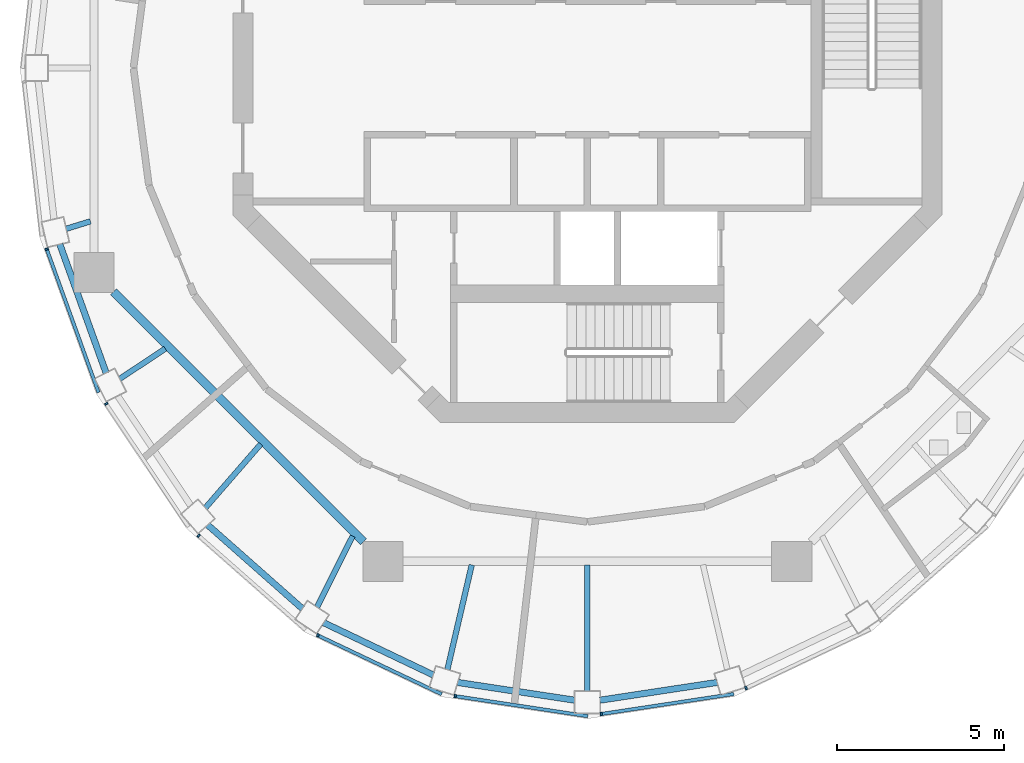
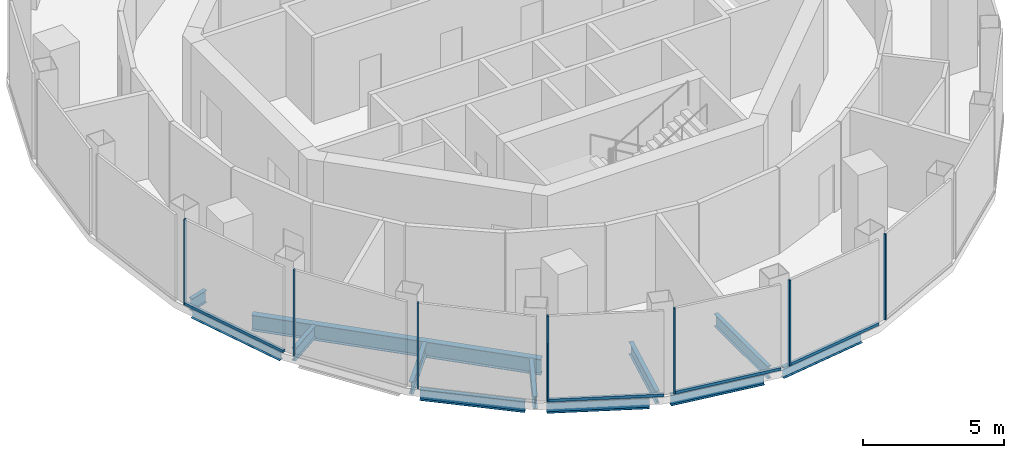
# One storey, part 2 of 12: 12 beams, 11 members, 7 elements without a shape of their own.
"""IFC4 building model written with IfcOpenShell, lengths in metres."""

from ifc_helpers import new_model, si_unit, direction, frame, origin, origin_2d, place, context, subcontext, project, spatial, rectangle, i_section, extrude, material, layer, layer_set, material_profile, profile_set, type_object, element, aggregate, save


model = new_model("IFC4")

# Units and contexts
model_context = context("Model", 3, precision=1e-05, world=origin(), true_north=direction((0.0, 1.0)))
body_context = subcontext(model_context, "Body", "Model", "MODEL_VIEW")
ifc_project = project(units=[si_unit("LENGTHUNIT", "METRE"), si_unit("AREAUNIT", "SQUARE_METRE"), si_unit("VOLUMEUNIT", "CUBIC_METRE"), si_unit("PLANEANGLEUNIT", "RADIAN"), si_unit("MASSUNIT", "GRAM", prefix="KILO")], contexts=[model_context])

# Site, building, storey
site_placement = place(None, origin())
site = spatial("IfcSite", under=ifc_project, at=site_placement, CompositionType="ELEMENT")
building_placement = place(site_placement, origin())
building = spatial("IfcBuilding", under=site, at=building_placement, Name="Nagisa Residences", CompositionType="ELEMENT")
storey_placement = place(building_placement, frame((0.0, 0.0, 328.89990234375)))
storey = spatial("IfcBuildingStorey", under=building, at=storey_placement, Name="L81", CompositionType="ELEMENT", Elevation=328.89990234375)

# Curtain wall, member
ifc_material_1 = material(Name="Aluminium curtain wall system", Category="aluminium")
ifc_layer = layer(ifc_material_1, 0.159912109375)
ifc_layer_set = layer_set([ifc_layer], Name="CW5 CURTAIN WALL")
curtain_wall_type = type_object("IfcCurtainWallType", Name="CW5 CURTAIN WALL", PredefinedType="NOTDEFINED", material=ifc_layer_set)
curtain_wall_1_placement = place(storey_placement, origin())
curtain_wall_1 = element("IfcCurtainWall", 1, at=curtain_wall_1_placement, inside=storey, type_object=curtain_wall_type, Name="cw:CW5:L81:13", PredefinedType="NOTDEFINED")
ifc_material_2 = material(Name="Aluminium", Category="aluminium")
ifc_material_profile_1 = material_profile(ifc_material_2, rectangle(XDim=0.10009765625, YDim=0.06005859375, at=origin_2d()), Name="CW5 MULLION 100x60")
ifc_profile_set_1 = profile_set([ifc_material_profile_1], Name="Aluminium")
member_type_1 = type_object("IfcMemberType", Name="CW5 MULLION 100x60", PredefinedType="MULLION", material=ifc_profile_set_1)
member_1_placement = place(storey_placement, frame((-16.199462890625, -5.42431640625, 0.0), z_axis=(0.0, 0.0, 1.0), x_axis=(0.940554456033, 0.339642923136, 0.0)))
member_1 = element("IfcMember", 2, at=member_1_placement, type_object=member_type_1, Name="CW5 mullion", PredefinedType="MULLION", context=body_context, shape_type="SweptSolid", body=[
    extrude(rectangle(XDim=0.10009765625, YDim=0.06005859375, at=origin_2d()), origin(), (0.0, 0.0, 1.0), 3.7001953125),
])

curtain_wall_2_placement = place(storey_placement, origin())
curtain_wall_2 = element("IfcCurtainWall", 3, at=curtain_wall_2_placement, inside=storey, type_object=curtain_wall_type, Name="cw:CW5:L81:14", PredefinedType="NOTDEFINED")
member_2_placement = place(storey_placement, frame((-14.416748046875, -10.06298828125, 0.0), z_axis=(0.0, 0.0, 1.0), x_axis=(0.831172662415, 0.556014393027, 0.0)))
member_2 = element("IfcMember", 4, at=member_2_placement, type_object=member_type_1, Name="CW5 mullion", PredefinedType="MULLION", context=body_context, shape_type="SweptSolid", body=[
    extrude(rectangle(XDim=0.10009765625, YDim=0.06005859375, at=origin_2d()), origin(), (0.0, 0.0, 1.0), 3.7001953125),
])
aggregate(curtain_wall_2, [member_2])

curtain_wall_3_placement = place(storey_placement, origin())
curtain_wall_3 = element("IfcCurtainWall", 5, at=curtain_wall_3_placement, inside=storey, type_object=curtain_wall_type, Name="cw:CW5:L81:15", PredefinedType="NOTDEFINED")
member_3_placement = place(storey_placement, frame((-11.645263671875, -14.0126953125, 0.0), z_axis=(0.0, 0.0, 1.0), x_axis=(0.660699467703, 0.750650526795, 0.0)))
member_3 = element("IfcMember", 6, at=member_3_placement, type_object=member_type_1, Name="CW5 mullion", PredefinedType="MULLION", context=body_context, shape_type="SweptSolid", body=[
    extrude(rectangle(XDim=0.10009765625, YDim=0.06005859375, at=origin_2d()), origin(), (0.0, 0.0, 1.0), 3.7001953125),
])
aggregate(curtain_wall_3, [member_3])

curtain_wall_4_placement = place(storey_placement, origin())
curtain_wall_4 = element("IfcCurtainWall", 7, at=curtain_wall_4_placement, inside=storey, type_object=curtain_wall_type, Name="cw:CW5:L81:16", PredefinedType="NOTDEFINED")
member_4_placement = place(storey_placement, frame((-8.077392578125, -16.999755859375, 0.0), z_axis=(0.0, 0.0, 1.0), x_axis=(0.429150642757, 0.903232929992, 0.0)))
member_4 = element("IfcMember", 8, at=member_4_placement, type_object=member_type_1, Name="CW5 mullion", PredefinedType="MULLION", context=body_context, shape_type="SweptSolid", body=[
    extrude(rectangle(XDim=0.10009765625, YDim=0.06005859375, at=origin_2d()), origin(), (0.0, 0.0, 1.0), 3.7001953125),
])

curtain_wall_5_placement = place(storey_placement, origin())
curtain_wall_5 = element("IfcCurtainWall", 9, at=curtain_wall_5_placement, inside=storey, type_object=curtain_wall_type, Name="cw:CW5:L81:17", PredefinedType="NOTDEFINED")
member_5_placement = place(storey_placement, frame((-3.962890625, -18.820556640625, 0.0), z_axis=(0.0, 0.0, 1.0), x_axis=(0.149320135997, 0.988788904158, 0.0)))
member_5 = element("IfcMember", 10, at=member_5_placement, type_object=member_type_1, Name="CW5 mullion", PredefinedType="MULLION", context=body_context, shape_type="SweptSolid", body=[
    extrude(rectangle(XDim=0.10009765625, YDim=0.06005859375, at=origin_2d()), origin(), (0.0, 0.0, 1.0), 3.7001953125),
])

curtain_wall_6_placement = place(storey_placement, origin())
curtain_wall_6 = element("IfcCurtainWall", 11, at=curtain_wall_6_placement, inside=storey, type_object=curtain_wall_type, Name="cw:CW5:L81:18", PredefinedType="NOTDEFINED")
member_6_placement = place(storey_placement, frame((0.413330078125, -19.356689453125, 0.0), z_axis=(0.0, 0.0, 1.0), x_axis=(-0.149320135997, 0.988788904158, 0.0)))
member_6 = element("IfcMember", 12, at=member_6_placement, type_object=member_type_1, Name="CW5 mullion", PredefinedType="MULLION", context=body_context, shape_type="SweptSolid", body=[
    extrude(rectangle(XDim=0.10009765625, YDim=0.06005859375, at=origin_2d()), origin(), (0.0, 0.0, 1.0), 3.7001953125),
])

curtain_wall_7_placement = place(storey_placement, origin())
curtain_wall_7 = element("IfcCurtainWall", 13, at=curtain_wall_7_placement, inside=storey, type_object=curtain_wall_type, Name="cw:CW5:L81:19", PredefinedType="NOTDEFINED")
member_7_placement = place(storey_placement, frame((4.75390625, -18.578857421875, 0.0), z_axis=(0.0, 0.0, 1.0), x_axis=(-0.429150642757, 0.903232929992, 0.0)))
member_7 = element("IfcMember", 14, at=member_7_placement, type_object=member_type_1, Name="CW5 mullion", PredefinedType="MULLION", context=body_context, shape_type="SweptSolid", body=[
    extrude(rectangle(XDim=0.10009765625, YDim=0.06005859375, at=origin_2d()), origin(), (0.0, 0.0, 1.0), 3.7001953125),
])
aggregate(curtain_wall_7, [member_7])

# Member
ifc_material_3 = material(Name="Aluminium", Category="aluminium")
ifc_material_profile_2 = material_profile(ifc_material_3, rectangle(XDim=0.10009765625, YDim=0.1201171875, at=origin_2d()), Name="CW5 TRANSOM 100x120")
ifc_profile_set_2 = profile_set([ifc_material_profile_2], Name="Aluminium")
member_type_2 = type_object("IfcMemberType", Name="CW5 TRANSOM 100x120", PredefinedType="USERDEFINED", material=ifc_profile_set_2)
member_8_placement = place(storey_placement, frame((-16.209716796875, -5.39599609375, 0.06005859375), z_axis=(0.339645767878, -0.940553428766, 0.0), x_axis=(0.940553428766, 0.339645767878, 0.0)))
member_8 = element("IfcMember", 15, at=member_8_placement, type_object=member_type_2, Name="CW5 transom", ObjectType="TRANSOM", PredefinedType="USERDEFINED", context=body_context, shape_type="SweptSolid", body=[
    extrude(rectangle(XDim=0.10009765625, YDim=0.1201171875, at=origin_2d()), origin(), (0.0, 0.0, 1.0), 4.600341796875),
])

aggregate(curtain_wall_1, [member_1, member_8])

member_9_placement = place(storey_placement, frame((-8.1044921875, -16.98681640625, 0.06005859375), z_axis=(0.903246073132, -0.429122979309, 0.0), x_axis=(0.429122979309, 0.903246073132, 0.0)))
member_9 = element("IfcMember", 16, at=member_9_placement, type_object=member_type_2, Name="CW5 transom", ObjectType="TRANSOM", PredefinedType="USERDEFINED", context=body_context, shape_type="SweptSolid", body=[
    extrude(rectangle(XDim=0.10009765625, YDim=0.1201171875, at=origin_2d()), origin(), (0.0, 0.0, 1.0), 4.1396484375),
])

aggregate(curtain_wall_4, [member_4, member_9])

member_10_placement = place(storey_placement, frame((-3.992431640625, -18.816162109375, 0.06005859375), z_axis=(0.988788172803, -0.149324978907, 0.0), x_axis=(0.149324978907, 0.988788172803, 0.0)))
member_10 = element("IfcMember", 17, at=member_10_placement, type_object=member_type_2, Name="CW5 transom", ObjectType="TRANSOM", PredefinedType="USERDEFINED", context=body_context, shape_type="SweptSolid", body=[
    extrude(rectangle(XDim=0.10009765625, YDim=0.1201171875, at=origin_2d()), origin(), (0.0, 0.0, 1.0), 4.0498046875),
])

aggregate(curtain_wall_5, [member_5, member_10])

member_11_placement = place(storey_placement, frame((0.383544921875, -19.361083984375, 0.06005859375), z_axis=(0.988788172803, 0.149324978907, 0.0), x_axis=(-0.149324978907, 0.988788172803, 0.0)))
member_11 = element("IfcMember", 18, at=member_11_placement, type_object=member_type_2, Name="CW5 transom", ObjectType="TRANSOM", PredefinedType="USERDEFINED", context=body_context, shape_type="SweptSolid", body=[
    extrude(rectangle(XDim=0.10009765625, YDim=0.1201171875, at=origin_2d()), origin(), (0.0, 0.0, 1.0), 4.0498046875),
])

aggregate(curtain_wall_6, [member_6, member_11])

# Beams
ifc_material_4 = material(Name="Steel ASTM A572 Gr 50", Category="steel")
ifc_material_profile_3 = material_profile(ifc_material_4, i_section(OverallWidth=0.2529296875, OverallDepth=0.677978515625, WebThickness=0.01171875, FlangeThickness=0.016357421875, at=origin_2d()), Name="W690x125")
ifc_profile_set_3 = profile_set([ifc_material_profile_3], Name="Steel ASTM A572 Gr 50")
beam_type_1 = type_object("IfcBeamType", Name="Inner ring beam W690x125", PredefinedType="BEAM", material=ifc_profile_set_3)
beam_1_placement = place(storey_placement, frame((-14.1962890625, -6.708740234375, -0.638916015625), z_axis=(0.707106781187, -0.707106781187, 0.0), x_axis=(0.707106781187, 0.707106781187, 0.0)))
element("IfcBeam", 19, at=beam_1_placement, inside=storey, type_object=beam_type_1, Name="beam:L81:ib5", PredefinedType="BEAM", context=body_context, shape_type="SweptSolid", body=[
    extrude(i_section(OverallWidth=0.2529296875, OverallDepth=0.677978515625, WebThickness=0.01171875, FlangeThickness=0.016357421875, at=origin_2d()), origin(), (0.0, 0.0, 1.0), 10.589111328125),
])
ifc_material_5 = material(Name="Steel ASTM A572 Gr 50", Category="steel")
ifc_material_profile_4 = material_profile(ifc_material_5, i_section(OverallWidth=0.18994140625, OverallDepth=0.45703125, WebThickness=0.009033203125, FlangeThickness=0.014404296875, at=origin_2d()), Name="W460x74")
ifc_profile_set_4 = profile_set([ifc_material_profile_4], Name="Steel ASTM A572 Gr 50")
beam_type_2 = type_object("IfcBeamType", Name="Perimeter ring beam W460x74", PredefinedType="BEAM", material=ifc_profile_set_4)
beam_2_placement = place(storey_placement, frame((-15.808349609375, -5.277587890625, -0.5283203125), z_axis=(0.338517252251, -0.940960185092, 0.0), x_axis=(0.940960185092, 0.338517252251, 0.0)))
element("IfcBeam", 20, at=beam_2_placement, inside=storey, type_object=beam_type_2, Name="beam:L81:pb14", PredefinedType="BEAM", context=body_context, shape_type="SweptSolid", body=[
    extrude(i_section(OverallWidth=0.18994140625, OverallDepth=0.45703125, WebThickness=0.009033203125, FlangeThickness=0.014404296875, at=origin_2d()), origin(), (0.0, 0.0, 1.0), 4.1044921875),
])
beam_3_placement = place(storey_placement, frame((-11.3798828125, -13.68896484375, -0.5283203125), z_axis=(0.749401876552, -0.662115418503, 0.0), x_axis=(0.662115418503, 0.749401876552, 0.0)))
element("IfcBeam", 21, at=beam_3_placement, inside=storey, type_object=beam_type_2, Name="beam:L81:pb16", PredefinedType="BEAM", context=body_context, shape_type="SweptSolid", body=[
    extrude(i_section(OverallWidth=0.18994140625, OverallDepth=0.45703125, WebThickness=0.009033203125, FlangeThickness=0.014404296875, at=origin_2d()), origin(), (0.0, 0.0, 1.0), 3.792724609375),
])
beam_4_placement = place(storey_placement, frame((-7.903564453125, -16.619873046875, -0.5283203125), z_axis=(0.902613702305, -0.430451512266, 0.0), x_axis=(0.430451512266, 0.902613702305, 0.0)))
element("IfcBeam", 22, at=beam_4_placement, inside=storey, type_object=beam_type_2, Name="beam:L81:pb17", PredefinedType="BEAM", context=body_context, shape_type="SweptSolid", body=[
    extrude(i_section(OverallWidth=0.18994140625, OverallDepth=0.45703125, WebThickness=0.009033203125, FlangeThickness=0.014404296875, at=origin_2d()), origin(), (0.0, 0.0, 1.0), 3.640625),
])
for number, where, z_axis, x_axis, name in (
    (23, (-3.890380859375, -18.41015625, -0.5283203125), (0.988700067025, -0.149907229525, 0.0), (0.149907229525, 0.988700067025, 0.0), "beam:L81:pb18"),
    (24, (0.380126953125, -18.9423828125, -0.5283203125), (0.988700067025, 0.149907229525, 0.0), (-0.149907229525, 0.988700067025, 0.0), "beam:L81:pb19"),
):
    element("IfcBeam", number, at=place(storey_placement, frame(where, z_axis=z_axis, x_axis=x_axis)), inside=storey, type_object=beam_type_2, Name=name, PredefinedType="BEAM", context=body_context, shape_type="SweptSolid", body=[
        extrude(i_section(OverallWidth=0.18994140625, OverallDepth=0.45703125, WebThickness=0.009033203125, FlangeThickness=0.014404296875, at=origin_2d()), origin(), (0.0, 0.0, 1.0), 3.55029296875),
    ])
ifc_material_6 = material(Name="Steel ASTM A572 Gr 50", Category="steel")
ifc_material_profile_5 = material_profile(ifc_material_6, i_section(OverallWidth=0.166015625, OverallDepth=0.534912109375, WebThickness=0.01025390625, FlangeThickness=0.0166015625, at=origin_2d()), Name="W530x85")
ifc_profile_set_5 = profile_set([ifc_material_profile_5], Name="Steel ASTM A572 Gr 50")
beam_type_3 = type_object("IfcBeamType", Name="Radial beam W530x85", PredefinedType="BEAM", material=ifc_profile_set_5)
beam_5_placement = place(storey_placement, frame((-15.62158203125, -4.820068359375, -0.5673828125), z_axis=(0.955489220567, 0.295026014753, 0.0), x_axis=(-0.295026014753, 0.955489220567, 0.0)))
element("IfcBeam", 25, at=beam_5_placement, inside=storey, type_object=beam_type_3, Name="beam:L81:rb14", PredefinedType="BEAM", context=body_context, shape_type="SweptSolid", body=[
    extrude(i_section(OverallWidth=0.166015625, OverallDepth=0.534912109375, WebThickness=0.01025390625, FlangeThickness=0.0166015625, at=origin_2d()), origin(), (0.0, 0.0, 1.0), 0.766357421875),
])
beam_6_placement = place(storey_placement, frame((-14.012451171875, -9.31591796875, -0.5673828125), z_axis=(0.832714310154, 0.553702878505, 0.0), x_axis=(-0.553702878505, 0.832714310154, 0.0)))
element("IfcBeam", 26, at=beam_6_placement, inside=storey, type_object=beam_type_3, Name="beam:L81:rb15", PredefinedType="BEAM", context=body_context, shape_type="SweptSolid", body=[
    extrude(i_section(OverallWidth=0.166015625, OverallDepth=0.534912109375, WebThickness=0.01025390625, FlangeThickness=0.0166015625, at=origin_2d()), origin(), (0.0, 0.0, 1.0), 1.638916015625),
])
beam_7_placement = place(storey_placement, frame((-11.44873046875, -13.183349609375, -0.5673828125), z_axis=(0.655718438616, 0.755005516045, 0.0), x_axis=(-0.755005516045, 0.655718438616, 0.0)))
element("IfcBeam", 27, at=beam_7_placement, inside=storey, type_object=beam_type_3, Name="beam:L81:rb16", PredefinedType="BEAM", context=body_context, shape_type="SweptSolid", body=[
    extrude(i_section(OverallWidth=0.166015625, OverallDepth=0.534912109375, WebThickness=0.01025390625, FlangeThickness=0.0166015625, at=origin_2d()), origin(), (0.0, 0.0, 1.0), 2.53515625),
])
beam_8_placement = place(storey_placement, frame((-8.10107421875, -16.1572265625, -0.5673828125), z_axis=(0.448236908276, 0.893914802461, 0.0), x_axis=(-0.893914802461, 0.448236908276, 0.0)))
element("IfcBeam", 28, at=beam_8_placement, inside=storey, type_object=beam_type_3, Name="beam:L81:rb17", PredefinedType="BEAM", context=body_context, shape_type="SweptSolid", body=[
    extrude(i_section(OverallWidth=0.166015625, OverallDepth=0.534912109375, WebThickness=0.01025390625, FlangeThickness=0.0166015625, at=origin_2d()), origin(), (0.0, 0.0, 1.0), 2.385009765625),
])
beam_9_placement = place(storey_placement, frame((-4.195556640625, -18.0302734375, -0.5673828125), z_axis=(0.226650446588, 0.973976167604, 0.0), x_axis=(-0.973976167604, 0.226650446588, 0.0)))
element("IfcBeam", 29, at=beam_9_placement, inside=storey, type_object=beam_type_3, Name="beam:L81:rb18", PredefinedType="BEAM", context=body_context, shape_type="SweptSolid", body=[
    extrude(i_section(OverallWidth=0.166015625, OverallDepth=0.534912109375, WebThickness=0.01025390625, FlangeThickness=0.0166015625, at=origin_2d()), origin(), (0.0, 0.0, 1.0), 3.22509765625),
])
beam_10_placement = place(storey_placement, frame((0.0, -18.669921875, -0.5673828125), z_axis=(0.0, 1.0, 0.0), x_axis=(-1.0, 0.0, 0.0)))
element("IfcBeam", 30, at=beam_10_placement, inside=storey, type_object=beam_type_3, Name="beam:L81:rb19", PredefinedType="BEAM", context=body_context, shape_type="SweptSolid", body=[
    extrude(i_section(OverallWidth=0.166015625, OverallDepth=0.534912109375, WebThickness=0.01025390625, FlangeThickness=0.0166015625, at=origin_2d()), origin(), (0.0, 0.0, 1.0), 3.78125),
])

save(model, "model.ifc")
